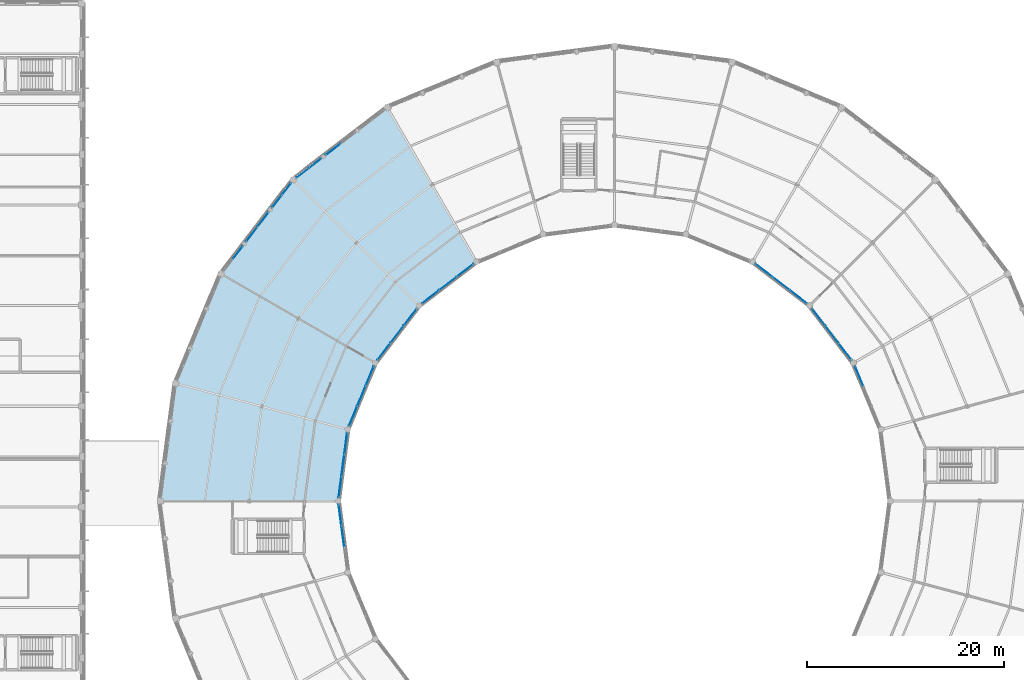
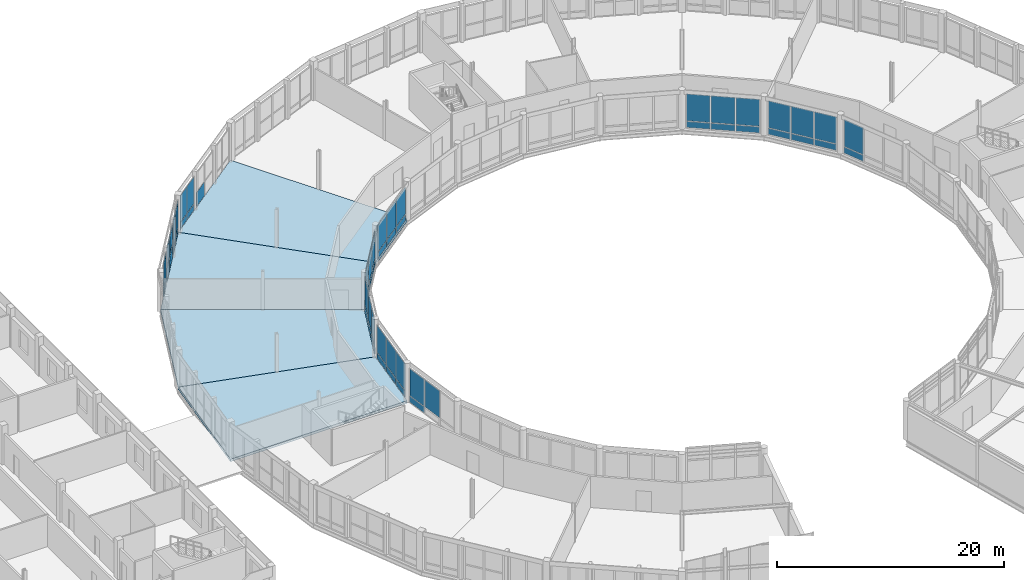
# One storey, part 129 of 170: 56 plates, 4 slabs, 13 elements without a shape of their own.
"""IFC4 building model written with IfcOpenShell, lengths in metres."""

from ifc_helpers import new_model, si_unit, direction, frame, origin, origin_2d, place, context, subcontext, project, spatial, polyline, rectangle, outline, extrude, material, layer, layer_set, type_object, element, aggregate, save


model = new_model("IFC4")

# Units and contexts
model_context = context("Model", 3, precision=1e-05, world=origin(), true_north=direction((0.0, 1.0)))
body_context = subcontext(model_context, "Body", "Model", "MODEL_VIEW")
ifc_project = project(units=[si_unit("LENGTHUNIT", "METRE"), si_unit("AREAUNIT", "SQUARE_METRE"), si_unit("VOLUMEUNIT", "CUBIC_METRE"), si_unit("PLANEANGLEUNIT", "RADIAN"), si_unit("MASSUNIT", "GRAM", prefix="KILO")], contexts=[model_context])

# Site, building, storey
site_placement = place(None, origin())
site = spatial("IfcSite", under=ifc_project, at=site_placement, CompositionType="ELEMENT")
building_placement = place(site_placement, origin())
building = spatial("IfcBuilding", under=site, at=building_placement, Name="Vondelvale Polytechnic", CompositionType="ELEMENT")
storey_placement = place(building_placement, frame((0.0, 0.0, 5.39990234375)))
storey = spatial("IfcBuildingStorey", under=building, at=storey_placement, Name="L01", CompositionType="ELEMENT", Elevation=5.39990234375)

# Curtain wall, plate
ifc_material_1 = material(Name="Anodised extruded aluminium 6063-T6", Category="aluminium")
curtain_wall_type_1 = type_object("IfcCurtainWallType", Name="CW-RING-CLOISTER", PredefinedType="NOTDEFINED", material=ifc_material_1)
curtain_wall_1_placement = place(storey_placement, origin())
curtain_wall_1 = element("IfcCurtainWall", 1, at=curtain_wall_1_placement, inside=storey, type_object=curtain_wall_type_1, Name="L01 architectural curtain wall CW-03-077", PredefinedType="NOTDEFINED")
ifc_material_2 = material(Name="Double-glazed low-E insulated architectural glass", Category="glass")
ifc_layer_1 = layer(ifc_material_2, 0.028076171875)
ifc_layer_set_1 = layer_set([ifc_layer_1], Name="CW-PANEL-GLAZED")
plate_type_1 = type_object("IfcPlateType", Name="CW-PANEL-GLAZED", PredefinedType="CURTAIN_PANEL", material=ifc_layer_set_1)
plate_1_placement = place(storey_placement, frame((126.805908203125, 84.655029296875, 0.78271484375), z_axis=(0.0, 0.0, 1.0), x_axis=(-0.382678531697, 0.923881562419, 0.0)))
plate_1 = element("IfcPlate", 2, at=plate_1_placement, type_object=plate_type_1, Name="CW-03-077 panel 3.2", PredefinedType="CURTAIN_PANEL", context=body_context, shape_type="SweptSolid", body=[
    extrude(rectangle(XDim=2.111572265625, YDim=0.028076171875, at=origin_2d()), origin(), (0.0, 0.0, 1.0), 2.902587890625),
])

# Curtain wall, plates
curtain_wall_2_placement = place(storey_placement, origin())
curtain_wall_2 = element("IfcCurtainWall", 3, at=curtain_wall_2_placement, inside=storey, type_object=curtain_wall_type_1, Name="L01 architectural curtain wall CW-03-089", PredefinedType="NOTDEFINED")
plate_2_placement = place(storey_placement, frame((125.363037109375, 87.154296875, 0.78271484375), z_axis=(0.0, 0.0, 1.0), x_axis=(-0.608747717793, 0.793363861089, 0.0)))
plate_2 = element("IfcPlate", 4, at=plate_2_placement, type_object=plate_type_1, Name="CW-03-089 panel 1.2", PredefinedType="CURTAIN_PANEL", context=body_context, shape_type="SweptSolid", body=[
    extrude(rectangle(XDim=2.1123046875, YDim=0.028076171875, at=origin_2d()), origin(), (0.0, 0.0, 1.0), 2.902587890625),
])
plate_3_placement = place(storey_placement, frame((124.02392578125, 88.8994140625, 0.78271484375), z_axis=(0.0, 0.0, 1.0), x_axis=(-0.608747717793, 0.793363861089, 0.0)))
plate_3 = element("IfcPlate", 5, at=plate_3_placement, type_object=plate_type_1, Name="CW-03-089 panel 2.2", PredefinedType="CURTAIN_PANEL", context=body_context, shape_type="SweptSolid", body=[
    extrude(rectangle(XDim=2.1474609375, YDim=0.028076171875, at=origin_2d()), origin(), (0.0, 0.0, 1.0), 2.902587890625),
])
plate_4_placement = place(storey_placement, frame((122.6845703125, 90.644775390625, 0.78271484375), z_axis=(0.0, 0.0, 1.0), x_axis=(-0.608747717793, 0.793363861089, 0.0)))
plate_4 = element("IfcPlate", 6, at=plate_4_placement, type_object=plate_type_1, Name="CW-03-089 panel 3.2", PredefinedType="CURTAIN_PANEL", context=body_context, shape_type="SweptSolid", body=[
    extrude(rectangle(XDim=2.1123046875, YDim=0.028076171875, at=origin_2d()), origin(), (0.0, 0.0, 1.0), 2.902587890625),
])

curtain_wall_3_placement = place(storey_placement, origin())
curtain_wall_3 = element("IfcCurtainWall", 7, at=curtain_wall_3_placement, inside=storey, type_object=curtain_wall_type_1, Name="L01 architectural curtain wall CW-03-100", PredefinedType="NOTDEFINED")
plate_5_placement = place(storey_placement, frame((120.644775390625, 92.6845703125, 0.78271484375), z_axis=(0.0, 0.0, 1.0), x_axis=(-0.793363861089, 0.608747717793, 0.0)))
plate_5 = element("IfcPlate", 8, at=plate_5_placement, type_object=plate_type_1, Name="CW-03-100 panel 1.2", PredefinedType="CURTAIN_PANEL", context=body_context, shape_type="SweptSolid", body=[
    extrude(rectangle(XDim=2.1123046875, YDim=0.028076171875, at=origin_2d()), origin(), (0.0, 0.0, 1.0), 2.902587890625),
])
plate_6_placement = place(storey_placement, frame((118.8994140625, 94.02392578125, 0.78271484375), z_axis=(0.0, 0.0, 1.0), x_axis=(-0.793363861089, 0.608747717793, 0.0)))
plate_6 = element("IfcPlate", 9, at=plate_6_placement, type_object=plate_type_1, Name="CW-03-100 panel 2.2", PredefinedType="CURTAIN_PANEL", context=body_context, shape_type="SweptSolid", body=[
    extrude(rectangle(XDim=2.1474609375, YDim=0.028076171875, at=origin_2d()), origin(), (0.0, 0.0, 1.0), 2.902587890625),
])
plate_7_placement = place(storey_placement, frame((117.154296875, 95.363037109375, 0.78271484375), z_axis=(0.0, 0.0, 1.0), x_axis=(-0.793363861089, 0.608747717793, 0.0)))
plate_7 = element("IfcPlate", 10, at=plate_7_placement, type_object=plate_type_1, Name="CW-03-100 panel 3.2", PredefinedType="CURTAIN_PANEL", context=body_context, shape_type="SweptSolid", body=[
    extrude(rectangle(XDim=2.1123046875, YDim=0.028076171875, at=origin_2d()), origin(), (0.0, 0.0, 1.0), 2.902587890625),
])

curtain_wall_4_placement = place(storey_placement, origin())
curtain_wall_4 = element("IfcCurtainWall", 11, at=curtain_wall_4_placement, inside=storey, type_object=curtain_wall_type_1, Name="L01 architectural curtain wall CW-03-194", PredefinedType="NOTDEFINED")
plate_8_placement = place(storey_placement, frame((86.845703125, 95.363037109375, 0.78271484375), z_axis=(0.0, 0.0, 1.0), x_axis=(-0.793363861089, -0.608747717793, 0.0)))
plate_8 = element("IfcPlate", 12, at=plate_8_placement, type_object=plate_type_1, Name="CW-03-194 panel 1.2", PredefinedType="CURTAIN_PANEL", context=body_context, shape_type="SweptSolid", body=[
    extrude(rectangle(XDim=2.1123046875, YDim=0.028076171875, at=origin_2d()), origin(), (0.0, 0.0, 1.0), 2.902587890625),
])
plate_9_placement = place(storey_placement, frame((85.1005859375, 94.02392578125, 0.78271484375), z_axis=(0.0, 0.0, 1.0), x_axis=(-0.793363861089, -0.608747717793, 0.0)))
plate_9 = element("IfcPlate", 13, at=plate_9_placement, type_object=plate_type_1, Name="CW-03-194 panel 2.2", PredefinedType="CURTAIN_PANEL", context=body_context, shape_type="SweptSolid", body=[
    extrude(rectangle(XDim=2.1474609375, YDim=0.028076171875, at=origin_2d()), origin(), (0.0, 0.0, 1.0), 2.902587890625),
])
plate_10_placement = place(storey_placement, frame((83.355224609375, 92.6845703125, 0.78271484375), z_axis=(0.0, 0.0, 1.0), x_axis=(-0.793363861089, -0.608747717793, 0.0)))
plate_10 = element("IfcPlate", 14, at=plate_10_placement, type_object=plate_type_1, Name="CW-03-194 panel 3.2", PredefinedType="CURTAIN_PANEL", context=body_context, shape_type="SweptSolid", body=[
    extrude(rectangle(XDim=2.1123046875, YDim=0.028076171875, at=origin_2d()), origin(), (0.0, 0.0, 1.0), 2.902587890625),
])

ifc_material_3 = material(Name="Glulam GL18 structural Tasmanian oak (fb = 42 MPa)", Category="wood")
curtain_wall_type_2 = type_object("IfcCurtainWallType", Name="CW-RING-OUTER", PredefinedType="NOTDEFINED", material=ifc_material_3)
curtain_wall_5_placement = place(storey_placement, origin())
curtain_wall_5 = element("IfcCurtainWall", 15, at=curtain_wall_5_placement, inside=storey, type_object=curtain_wall_type_2, Name="L01 architectural curtain wall CW-04-197", PredefinedType="NOTDEFINED")
plate_11_placement = place(storey_placement, frame((71.660888671875, 106.205810546875, 0.7802734375), z_axis=(0.0, 0.0, 1.0), x_axis=(-0.793333825656, -0.608786860133, 0.0)))
plate_11 = element("IfcPlate", 16, at=plate_11_placement, type_object=plate_type_1, Name="CW-04-197 panel 1.2", PredefinedType="CURTAIN_PANEL", context=body_context, shape_type="SweptSolid", body=[
    extrude(rectangle(XDim=1.530029296875, YDim=0.028076171875, at=origin_2d()), origin(), (0.0, 0.0, 1.0), 2.8798828125),
])
plate_12_placement = place(storey_placement, frame((70.3955078125, 105.234619140625, 0.7802734375), z_axis=(0.0, 0.0, 1.0), x_axis=(-0.793333825656, -0.608786860133, 0.0)))
plate_12 = element("IfcPlate", 17, at=plate_12_placement, type_object=plate_type_1, Name="CW-04-197 panel 2.2", PredefinedType="CURTAIN_PANEL", context=body_context, shape_type="SweptSolid", body=[
    extrude(rectangle(XDim=1.530029296875, YDim=0.028076171875, at=origin_2d()), origin(), (0.0, 0.0, 1.0), 2.8798828125),
])

curtain_wall_6_placement = place(storey_placement, origin())
curtain_wall_6 = element("IfcCurtainWall", 18, at=curtain_wall_6_placement, inside=storey, type_object=curtain_wall_type_1, Name="L01 architectural curtain wall CW-03-213", PredefinedType="NOTDEFINED")
plate_13_placement = place(storey_placement, frame((81.3154296875, 90.644775390625, 0.78271484375), z_axis=(0.0, 0.0, 1.0), x_axis=(-0.608747717793, -0.793363861089, 0.0)))
plate_13 = element("IfcPlate", 19, at=plate_13_placement, type_object=plate_type_1, Name="CW-03-213 panel 1.2", PredefinedType="CURTAIN_PANEL", context=body_context, shape_type="SweptSolid", body=[
    extrude(rectangle(XDim=2.1123046875, YDim=0.028076171875, at=origin_2d()), origin(), (0.0, 0.0, 1.0), 2.902587890625),
])
plate_14_placement = place(storey_placement, frame((79.97607421875, 88.8994140625, 0.78271484375), z_axis=(0.0, 0.0, 1.0), x_axis=(-0.608747717793, -0.793363861089, 0.0)))
plate_14 = element("IfcPlate", 20, at=plate_14_placement, type_object=plate_type_1, Name="CW-03-213 panel 2.2", PredefinedType="CURTAIN_PANEL", context=body_context, shape_type="SweptSolid", body=[
    extrude(rectangle(XDim=2.1474609375, YDim=0.028076171875, at=origin_2d()), origin(), (0.0, 0.0, 1.0), 2.902587890625),
])
plate_15_placement = place(storey_placement, frame((78.636962890625, 87.154296875, 0.78271484375), z_axis=(0.0, 0.0, 1.0), x_axis=(-0.608747717793, -0.793363861089, 0.0)))
plate_15 = element("IfcPlate", 21, at=plate_15_placement, type_object=plate_type_1, Name="CW-03-213 panel 3.2", PredefinedType="CURTAIN_PANEL", context=body_context, shape_type="SweptSolid", body=[
    extrude(rectangle(XDim=2.1123046875, YDim=0.028076171875, at=origin_2d()), origin(), (0.0, 0.0, 1.0), 2.902587890625),
])

curtain_wall_7_placement = place(storey_placement, origin())
curtain_wall_7 = element("IfcCurtainWall", 22, at=curtain_wall_7_placement, inside=storey, type_object=curtain_wall_type_2, Name="L01 architectural curtain wall CW-04-214", PredefinedType="NOTDEFINED")
plate_16_placement = place(storey_placement, frame((68.765380859375, 103.6044921875, 0.7802734375), z_axis=(0.0, 0.0, 1.0), x_axis=(-0.608786860133, -0.793333825656, 0.0)))
plate_16 = element("IfcPlate", 23, at=plate_16_placement, type_object=plate_type_1, Name="CW-04-214 panel 1.2", PredefinedType="CURTAIN_PANEL", context=body_context, shape_type="SweptSolid", body=[
    extrude(rectangle(XDim=1.530029296875, YDim=0.028076171875, at=origin_2d()), origin(), (0.0, 0.0, 1.0), 2.8798828125),
])
plate_17_placement = place(storey_placement, frame((67.794189453125, 102.339111328125, 0.7802734375), z_axis=(0.0, 0.0, 1.0), x_axis=(-0.608786860133, -0.793333825656, 0.0)))
plate_17 = element("IfcPlate", 24, at=plate_17_placement, type_object=plate_type_1, Name="CW-04-214 panel 2.2", PredefinedType="CURTAIN_PANEL", context=body_context, shape_type="SweptSolid", body=[
    extrude(rectangle(XDim=1.530029296875, YDim=0.028076171875, at=origin_2d()), origin(), (0.0, 0.0, 1.0), 2.8798828125),
])

curtain_wall_8_placement = place(storey_placement, origin())
curtain_wall_8 = element("IfcCurtainWall", 25, at=curtain_wall_8_placement, inside=storey, type_object=curtain_wall_type_2, Name="L01 architectural curtain wall CW-04-215", PredefinedType="NOTDEFINED")
plate_18_placement = place(storey_placement, frame((66.388427734375, 100.5068359375, 1.6298828125), z_axis=(0.0, 0.0, 1.0), x_axis=(-0.608771189063, -0.793345851043, 0.0)))
plate_18 = element("IfcPlate", 26, at=plate_18_placement, type_object=plate_type_1, Name="CW-04-215 panel 1.2", PredefinedType="CURTAIN_PANEL", context=body_context, shape_type="SweptSolid", body=[
    extrude(rectangle(XDim=1.80908203125, YDim=0.028076171875, at=origin_2d()), origin(), (0.0, 0.0, 1.0), 2.030029296875),
])
plate_19_placement = place(storey_placement, frame((65.24755859375, 99.02001953125, 1.6298828125), z_axis=(0.0, 0.0, 1.0), x_axis=(-0.608771189063, -0.793345851043, 0.0)))
plate_19 = element("IfcPlate", 27, at=plate_19_placement, type_object=plate_type_1, Name="CW-04-215 panel 2.2", PredefinedType="CURTAIN_PANEL", context=body_context, shape_type="SweptSolid", body=[
    extrude(rectangle(XDim=1.80908203125, YDim=0.028076171875, at=origin_2d()), origin(), (0.0, 0.0, 1.0), 2.030029296875),
])

# Curtain wall, plate
curtain_wall_9_placement = place(storey_placement, origin())
curtain_wall_9 = element("IfcCurtainWall", 28, at=curtain_wall_9_placement, inside=storey, type_object=curtain_wall_type_2, Name="L01 architectural curtain wall CW-04-216", PredefinedType="NOTDEFINED")
plate_20_placement = place(storey_placement, frame((63.841552734375, 97.187744140625, 0.7802734375), z_axis=(0.0, 0.0, 1.0), x_axis=(-0.608786860133, -0.793333825656, 0.0)))
plate_20 = element("IfcPlate", 29, at=plate_20_placement, type_object=plate_type_1, Name="CW-04-216 panel 1.2", PredefinedType="CURTAIN_PANEL", context=body_context, shape_type="SweptSolid", body=[
    extrude(rectangle(XDim=1.530029296875, YDim=0.028076171875, at=origin_2d()), origin(), (0.0, 0.0, 1.0), 2.8798828125),
])

# Curtain wall, plates
curtain_wall_10_placement = place(storey_placement, origin())
curtain_wall_10 = element("IfcCurtainWall", 30, at=curtain_wall_10_placement, inside=storey, type_object=curtain_wall_type_1, Name="L01 architectural curtain wall CW-03-229", PredefinedType="NOTDEFINED")
plate_21_placement = place(storey_placement, frame((77.194091796875, 84.655029296875, 0.78271484375), z_axis=(0.0, 0.0, 1.0), x_axis=(-0.382678531697, -0.923881562419, 0.0)))
plate_21 = element("IfcPlate", 31, at=plate_21_placement, type_object=plate_type_1, Name="CW-03-229 panel 1.2", PredefinedType="CURTAIN_PANEL", context=body_context, shape_type="SweptSolid", body=[
    extrude(rectangle(XDim=2.111572265625, YDim=0.028076171875, at=origin_2d()), origin(), (0.0, 0.0, 1.0), 2.902587890625),
])
plate_22_placement = place(storey_placement, frame((76.352783203125, 82.62353515625, 0.78271484375), z_axis=(0.0, 0.0, 1.0), x_axis=(-0.382678531697, -0.923881562419, 0.0)))
plate_22 = element("IfcPlate", 32, at=plate_22_placement, type_object=plate_type_1, Name="CW-03-229 panel 2.2", PredefinedType="CURTAIN_PANEL", context=body_context, shape_type="SweptSolid", body=[
    extrude(rectangle(XDim=2.146484375, YDim=0.028076171875, at=origin_2d()), origin(), (0.0, 0.0, 1.0), 2.902587890625),
])
plate_23_placement = place(storey_placement, frame((75.51123046875, 80.591796875, 0.78271484375), z_axis=(0.0, 0.0, 1.0), x_axis=(-0.382678531697, -0.923881562419, 0.0)))
plate_23 = element("IfcPlate", 33, at=plate_23_placement, type_object=plate_type_1, Name="CW-03-229 panel 3.2", PredefinedType="CURTAIN_PANEL", context=body_context, shape_type="SweptSolid", body=[
    extrude(rectangle(XDim=2.111572265625, YDim=0.028076171875, at=origin_2d()), origin(), (0.0, 0.0, 1.0), 2.902587890625),
])

curtain_wall_11_placement = place(storey_placement, origin())
curtain_wall_11 = element("IfcCurtainWall", 34, at=curtain_wall_11_placement, inside=storey, type_object=curtain_wall_type_1, Name="L01 architectural curtain wall CW-03-244", PredefinedType="NOTDEFINED")
plate_24_placement = place(storey_placement, frame((74.76416015625, 77.804443359375, 0.78271484375), z_axis=(0.0, 0.0, 1.0), x_axis=(-0.130528007165, -0.99144462243, 0.0)))
plate_24 = element("IfcPlate", 35, at=plate_24_placement, type_object=plate_type_1, Name="CW-03-244 panel 1.2", PredefinedType="CURTAIN_PANEL", context=body_context, shape_type="SweptSolid", body=[
    extrude(rectangle(XDim=2.1123046875, YDim=0.028076171875, at=origin_2d()), origin(), (0.0, 0.0, 1.0), 2.902587890625),
])
plate_25_placement = place(storey_placement, frame((74.47705078125, 75.62353515625, 0.78271484375), z_axis=(0.0, 0.0, 1.0), x_axis=(-0.130528007165, -0.99144462243, 0.0)))
plate_25 = element("IfcPlate", 36, at=plate_25_placement, type_object=plate_type_1, Name="CW-03-244 panel 2.2", PredefinedType="CURTAIN_PANEL", context=body_context, shape_type="SweptSolid", body=[
    extrude(rectangle(XDim=2.1474609375, YDim=0.028076171875, at=origin_2d()), origin(), (0.0, 0.0, 1.0), 2.902587890625),
])
plate_26_placement = place(storey_placement, frame((74.18994140625, 73.4423828125, 0.78271484375), z_axis=(0.0, 0.0, 1.0), x_axis=(-0.130528007165, -0.99144462243, 0.0)))
plate_26 = element("IfcPlate", 37, at=plate_26_placement, type_object=plate_type_1, Name="CW-03-244 panel 3.2", PredefinedType="CURTAIN_PANEL", context=body_context, shape_type="SweptSolid", body=[
    extrude(rectangle(XDim=2.1123046875, YDim=0.028076171875, at=origin_2d()), origin(), (0.0, 0.0, 1.0), 2.902587890625),
])

curtain_wall_12_placement = place(storey_placement, origin())
curtain_wall_12 = element("IfcCurtainWall", 38, at=curtain_wall_12_placement, inside=storey, type_object=curtain_wall_type_1, Name="L01 architectural curtain wall CW-03-259", PredefinedType="NOTDEFINED")
plate_27_placement = place(storey_placement, frame((74.18994140625, 70.5576171875, 0.78271484375), z_axis=(0.0, 0.0, 1.0), x_axis=(0.130528007165, -0.99144462243, 0.0)))
plate_27 = element("IfcPlate", 39, at=plate_27_placement, type_object=plate_type_1, Name="CW-03-259 panel 1.2", PredefinedType="CURTAIN_PANEL", context=body_context, shape_type="SweptSolid", body=[
    extrude(rectangle(XDim=2.1123046875, YDim=0.028076171875, at=origin_2d()), origin(), (0.0, 0.0, 1.0), 2.902587890625),
])
plate_28_placement = place(storey_placement, frame((74.47705078125, 68.37646484375, 0.78271484375), z_axis=(0.0, 0.0, 1.0), x_axis=(0.130528007165, -0.99144462243, 0.0)))
plate_28 = element("IfcPlate", 40, at=plate_28_placement, type_object=plate_type_1, Name="CW-03-259 panel 2.2", PredefinedType="CURTAIN_PANEL", context=body_context, shape_type="SweptSolid", body=[
    extrude(rectangle(XDim=2.1474609375, YDim=0.028076171875, at=origin_2d()), origin(), (0.0, 0.0, 1.0), 2.902587890625),
])

# Plate
ifc_material_4 = material(Name="Engineered Tasmanian oak studio and bridge joinery")
ifc_layer_2 = layer(ifc_material_4, 0.0419921875)
ifc_layer_set_2 = layer_set([ifc_layer_2], Name="CW-PANEL-OAK")
plate_type_2 = type_object("IfcPlateType", Name="CW-PANEL-OAK", PredefinedType="CURTAIN_PANEL", material=ifc_layer_set_2)
plate_29_placement = place(storey_placement, frame((126.805908203125, 84.655029296875, 0.06494140625), z_axis=(0.0, 0.0, 1.0), x_axis=(-0.382678531697, 0.923881562419, 0.0)))
plate_29 = element("IfcPlate", 41, at=plate_29_placement, type_object=plate_type_2, Name="CW-03-077 panel 3.1", PredefinedType="CURTAIN_PANEL", context=body_context, shape_type="SweptSolid", body=[
    extrude(rectangle(XDim=2.111572265625, YDim=0.0419921875, at=origin_2d()), origin(), (0.0, 0.0, 1.0), 0.652587890625),
])

aggregate(curtain_wall_1, [plate_29, plate_1])

plate_30_placement = place(storey_placement, frame((125.363037109375, 87.154296875, 0.06494140625), z_axis=(0.0, 0.0, 1.0), x_axis=(-0.608747717793, 0.793363861089, 0.0)))
plate_30 = element("IfcPlate", 42, at=plate_30_placement, type_object=plate_type_2, Name="CW-03-089 panel 1.1", PredefinedType="CURTAIN_PANEL", context=body_context, shape_type="SweptSolid", body=[
    extrude(rectangle(XDim=2.1123046875, YDim=0.0419921875, at=origin_2d()), origin(), (0.0, 0.0, 1.0), 0.652587890625),
])

plate_31_placement = place(storey_placement, frame((124.02392578125, 88.8994140625, 0.06494140625), z_axis=(0.0, 0.0, 1.0), x_axis=(-0.608747717793, 0.793363861089, 0.0)))
plate_31 = element("IfcPlate", 43, at=plate_31_placement, type_object=plate_type_2, Name="CW-03-089 panel 2.1", PredefinedType="CURTAIN_PANEL", context=body_context, shape_type="SweptSolid", body=[
    extrude(rectangle(XDim=2.1474609375, YDim=0.0419921875, at=origin_2d()), origin(), (0.0, 0.0, 1.0), 0.652587890625),
])

plate_32_placement = place(storey_placement, frame((122.6845703125, 90.644775390625, 0.06494140625), z_axis=(0.0, 0.0, 1.0), x_axis=(-0.608747717793, 0.793363861089, 0.0)))
plate_32 = element("IfcPlate", 44, at=plate_32_placement, type_object=plate_type_2, Name="CW-03-089 panel 3.1", PredefinedType="CURTAIN_PANEL", context=body_context, shape_type="SweptSolid", body=[
    extrude(rectangle(XDim=2.1123046875, YDim=0.0419921875, at=origin_2d()), origin(), (0.0, 0.0, 1.0), 0.652587890625),
])

aggregate(curtain_wall_2, [plate_30, plate_2, plate_31, plate_3, plate_32, plate_4])

plate_33_placement = place(storey_placement, frame((120.644775390625, 92.6845703125, 0.06494140625), z_axis=(0.0, 0.0, 1.0), x_axis=(-0.793363861089, 0.608747717793, 0.0)))
plate_33 = element("IfcPlate", 45, at=plate_33_placement, type_object=plate_type_2, Name="CW-03-100 panel 1.1", PredefinedType="CURTAIN_PANEL", context=body_context, shape_type="SweptSolid", body=[
    extrude(rectangle(XDim=2.1123046875, YDim=0.0419921875, at=origin_2d()), origin(), (0.0, 0.0, 1.0), 0.652587890625),
])

plate_34_placement = place(storey_placement, frame((118.8994140625, 94.02392578125, 0.06494140625), z_axis=(0.0, 0.0, 1.0), x_axis=(-0.793363861089, 0.608747717793, 0.0)))
plate_34 = element("IfcPlate", 46, at=plate_34_placement, type_object=plate_type_2, Name="CW-03-100 panel 2.1", PredefinedType="CURTAIN_PANEL", context=body_context, shape_type="SweptSolid", body=[
    extrude(rectangle(XDim=2.1474609375, YDim=0.0419921875, at=origin_2d()), origin(), (0.0, 0.0, 1.0), 0.652587890625),
])

plate_35_placement = place(storey_placement, frame((117.154296875, 95.363037109375, 0.06494140625), z_axis=(0.0, 0.0, 1.0), x_axis=(-0.793363861089, 0.608747717793, 0.0)))
plate_35 = element("IfcPlate", 47, at=plate_35_placement, type_object=plate_type_2, Name="CW-03-100 panel 3.1", PredefinedType="CURTAIN_PANEL", context=body_context, shape_type="SweptSolid", body=[
    extrude(rectangle(XDim=2.1123046875, YDim=0.0419921875, at=origin_2d()), origin(), (0.0, 0.0, 1.0), 0.652587890625),
])

aggregate(curtain_wall_3, [plate_33, plate_5, plate_34, plate_6, plate_35, plate_7])

plate_36_placement = place(storey_placement, frame((86.845703125, 95.363037109375, 0.06494140625), z_axis=(0.0, 0.0, 1.0), x_axis=(-0.793363861089, -0.608747717793, 0.0)))
plate_36 = element("IfcPlate", 48, at=plate_36_placement, type_object=plate_type_2, Name="CW-03-194 panel 1.1", PredefinedType="CURTAIN_PANEL", context=body_context, shape_type="SweptSolid", body=[
    extrude(rectangle(XDim=2.1123046875, YDim=0.0419921875, at=origin_2d()), origin(), (0.0, 0.0, 1.0), 0.652587890625),
])

plate_37_placement = place(storey_placement, frame((85.1005859375, 94.02392578125, 0.06494140625), z_axis=(0.0, 0.0, 1.0), x_axis=(-0.793363861089, -0.608747717793, 0.0)))
plate_37 = element("IfcPlate", 49, at=plate_37_placement, type_object=plate_type_2, Name="CW-03-194 panel 2.1", PredefinedType="CURTAIN_PANEL", context=body_context, shape_type="SweptSolid", body=[
    extrude(rectangle(XDim=2.1474609375, YDim=0.0419921875, at=origin_2d()), origin(), (0.0, 0.0, 1.0), 0.652587890625),
])

plate_38_placement = place(storey_placement, frame((83.355224609375, 92.6845703125, 0.06494140625), z_axis=(0.0, 0.0, 1.0), x_axis=(-0.793363861089, -0.608747717793, 0.0)))
plate_38 = element("IfcPlate", 50, at=plate_38_placement, type_object=plate_type_2, Name="CW-03-194 panel 3.1", PredefinedType="CURTAIN_PANEL", context=body_context, shape_type="SweptSolid", body=[
    extrude(rectangle(XDim=2.1123046875, YDim=0.0419921875, at=origin_2d()), origin(), (0.0, 0.0, 1.0), 0.652587890625),
])

aggregate(curtain_wall_4, [plate_36, plate_8, plate_37, plate_9, plate_38, plate_10])

# Curtain wall, plate
curtain_wall_13_placement = place(storey_placement, origin())
curtain_wall_13 = element("IfcCurtainWall", 51, at=curtain_wall_13_placement, inside=storey, type_object=curtain_wall_type_2, Name="L01 architectural curtain wall CW-04-196", PredefinedType="NOTDEFINED")
plate_39_placement = place(storey_placement, frame((73.4931640625, 107.611572265625, 0.06005859375), z_axis=(0.0, 0.0, 1.0), x_axis=(-0.793345851043, -0.608771189063, 0.0)))
plate_39 = element("IfcPlate", 52, at=plate_39_placement, type_object=plate_type_2, Name="CW-04-196 panel 2.1", PredefinedType="CURTAIN_PANEL", context=body_context, shape_type="SweptSolid", body=[
    extrude(rectangle(XDim=1.80908203125, YDim=0.0419921875, at=origin_2d()), origin(), (0.0, 0.0, 1.0), 1.510009765625),
])
aggregate(curtain_wall_13, [plate_39])

# Plate
plate_40_placement = place(storey_placement, frame((81.3154296875, 90.644775390625, 0.06494140625), z_axis=(0.0, 0.0, 1.0), x_axis=(-0.608747717793, -0.793363861089, 0.0)))
plate_40 = element("IfcPlate", 53, at=plate_40_placement, type_object=plate_type_2, Name="CW-03-213 panel 1.1", PredefinedType="CURTAIN_PANEL", context=body_context, shape_type="SweptSolid", body=[
    extrude(rectangle(XDim=2.1123046875, YDim=0.0419921875, at=origin_2d()), origin(), (0.0, 0.0, 1.0), 0.652587890625),
])

plate_41_placement = place(storey_placement, frame((79.97607421875, 88.8994140625, 0.06494140625), z_axis=(0.0, 0.0, 1.0), x_axis=(-0.608747717793, -0.793363861089, 0.0)))
plate_41 = element("IfcPlate", 54, at=plate_41_placement, type_object=plate_type_2, Name="CW-03-213 panel 2.1", PredefinedType="CURTAIN_PANEL", context=body_context, shape_type="SweptSolid", body=[
    extrude(rectangle(XDim=2.1474609375, YDim=0.0419921875, at=origin_2d()), origin(), (0.0, 0.0, 1.0), 0.652587890625),
])

plate_42_placement = place(storey_placement, frame((78.636962890625, 87.154296875, 0.06494140625), z_axis=(0.0, 0.0, 1.0), x_axis=(-0.608747717793, -0.793363861089, 0.0)))
plate_42 = element("IfcPlate", 55, at=plate_42_placement, type_object=plate_type_2, Name="CW-03-213 panel 3.1", PredefinedType="CURTAIN_PANEL", context=body_context, shape_type="SweptSolid", body=[
    extrude(rectangle(XDim=2.1123046875, YDim=0.0419921875, at=origin_2d()), origin(), (0.0, 0.0, 1.0), 0.652587890625),
])

aggregate(curtain_wall_6, [plate_40, plate_13, plate_41, plate_14, plate_42, plate_15])

plate_43_placement = place(storey_placement, frame((66.388427734375, 100.5068359375, 0.06005859375), z_axis=(0.0, 0.0, 1.0), x_axis=(-0.608771189063, -0.793345851043, 0.0)))
plate_43 = element("IfcPlate", 56, at=plate_43_placement, type_object=plate_type_2, Name="CW-04-215 panel 1.1", PredefinedType="CURTAIN_PANEL", context=body_context, shape_type="SweptSolid", body=[
    extrude(rectangle(XDim=1.80908203125, YDim=0.0419921875, at=origin_2d()), origin(), (0.0, 0.0, 1.0), 1.510009765625),
])

plate_44_placement = place(storey_placement, frame((65.24755859375, 99.02001953125, 0.06005859375), z_axis=(0.0, 0.0, 1.0), x_axis=(-0.608771189063, -0.793345851043, 0.0)))
plate_44 = element("IfcPlate", 57, at=plate_44_placement, type_object=plate_type_2, Name="CW-04-215 panel 2.1", PredefinedType="CURTAIN_PANEL", context=body_context, shape_type="SweptSolid", body=[
    extrude(rectangle(XDim=1.80908203125, YDim=0.0419921875, at=origin_2d()), origin(), (0.0, 0.0, 1.0), 1.510009765625),
])

aggregate(curtain_wall_8, [plate_43, plate_18, plate_44, plate_19])

plate_45_placement = place(storey_placement, frame((77.194091796875, 84.655029296875, 0.06494140625), z_axis=(0.0, 0.0, 1.0), x_axis=(-0.382678531697, -0.923881562419, 0.0)))
plate_45 = element("IfcPlate", 58, at=plate_45_placement, type_object=plate_type_2, Name="CW-03-229 panel 1.1", PredefinedType="CURTAIN_PANEL", context=body_context, shape_type="SweptSolid", body=[
    extrude(rectangle(XDim=2.111572265625, YDim=0.0419921875, at=origin_2d()), origin(), (0.0, 0.0, 1.0), 0.652587890625),
])

plate_46_placement = place(storey_placement, frame((76.352783203125, 82.62353515625, 0.06494140625), z_axis=(0.0, 0.0, 1.0), x_axis=(-0.382678531697, -0.923881562419, 0.0)))
plate_46 = element("IfcPlate", 59, at=plate_46_placement, type_object=plate_type_2, Name="CW-03-229 panel 2.1", PredefinedType="CURTAIN_PANEL", context=body_context, shape_type="SweptSolid", body=[
    extrude(rectangle(XDim=2.146484375, YDim=0.0419921875, at=origin_2d()), origin(), (0.0, 0.0, 1.0), 0.652587890625),
])

plate_47_placement = place(storey_placement, frame((75.51123046875, 80.591796875, 0.06494140625), z_axis=(0.0, 0.0, 1.0), x_axis=(-0.382678531697, -0.923881562419, 0.0)))
plate_47 = element("IfcPlate", 60, at=plate_47_placement, type_object=plate_type_2, Name="CW-03-229 panel 3.1", PredefinedType="CURTAIN_PANEL", context=body_context, shape_type="SweptSolid", body=[
    extrude(rectangle(XDim=2.111572265625, YDim=0.0419921875, at=origin_2d()), origin(), (0.0, 0.0, 1.0), 0.652587890625),
])

aggregate(curtain_wall_10, [plate_45, plate_21, plate_46, plate_22, plate_47, plate_23])

plate_48_placement = place(storey_placement, frame((74.76416015625, 77.804443359375, 0.06494140625), z_axis=(0.0, 0.0, 1.0), x_axis=(-0.130528007165, -0.99144462243, 0.0)))
plate_48 = element("IfcPlate", 61, at=plate_48_placement, type_object=plate_type_2, Name="CW-03-244 panel 1.1", PredefinedType="CURTAIN_PANEL", context=body_context, shape_type="SweptSolid", body=[
    extrude(rectangle(XDim=2.1123046875, YDim=0.0419921875, at=origin_2d()), origin(), (0.0, 0.0, 1.0), 0.652587890625),
])

plate_49_placement = place(storey_placement, frame((74.47705078125, 75.62353515625, 0.06494140625), z_axis=(0.0, 0.0, 1.0), x_axis=(-0.130528007165, -0.99144462243, 0.0)))
plate_49 = element("IfcPlate", 62, at=plate_49_placement, type_object=plate_type_2, Name="CW-03-244 panel 2.1", PredefinedType="CURTAIN_PANEL", context=body_context, shape_type="SweptSolid", body=[
    extrude(rectangle(XDim=2.1474609375, YDim=0.0419921875, at=origin_2d()), origin(), (0.0, 0.0, 1.0), 0.652587890625),
])

plate_50_placement = place(storey_placement, frame((74.18994140625, 73.4423828125, 0.06494140625), z_axis=(0.0, 0.0, 1.0), x_axis=(-0.130528007165, -0.99144462243, 0.0)))
plate_50 = element("IfcPlate", 63, at=plate_50_placement, type_object=plate_type_2, Name="CW-03-244 panel 3.1", PredefinedType="CURTAIN_PANEL", context=body_context, shape_type="SweptSolid", body=[
    extrude(rectangle(XDim=2.1123046875, YDim=0.0419921875, at=origin_2d()), origin(), (0.0, 0.0, 1.0), 0.652587890625),
])

aggregate(curtain_wall_11, [plate_48, plate_24, plate_49, plate_25, plate_50, plate_26])

plate_51_placement = place(storey_placement, frame((74.18994140625, 70.5576171875, 0.06494140625), z_axis=(0.0, 0.0, 1.0), x_axis=(0.130528007165, -0.99144462243, 0.0)))
plate_51 = element("IfcPlate", 64, at=plate_51_placement, type_object=plate_type_2, Name="CW-03-259 panel 1.1", PredefinedType="CURTAIN_PANEL", context=body_context, shape_type="SweptSolid", body=[
    extrude(rectangle(XDim=2.1123046875, YDim=0.0419921875, at=origin_2d()), origin(), (0.0, 0.0, 1.0), 0.652587890625),
])

aggregate(curtain_wall_12, [plate_51, plate_27, plate_28])

ifc_material_5 = material(Name="Kiln-fired architectural terracotta", Category="masonry")
ifc_layer_3 = layer(ifc_material_5, 0.035888671875)
ifc_layer_set_3 = layer_set([ifc_layer_3], Name="CW-PANEL-SPANDREL")
plate_type_3 = type_object("IfcPlateType", Name="CW-PANEL-SPANDREL", PredefinedType="CURTAIN_PANEL", material=ifc_layer_set_3)
plate_52_placement = place(storey_placement, frame((71.660888671875, 106.205810546875, 0.06005859375), z_axis=(0.0, 0.0, 1.0), x_axis=(-0.793333825656, -0.608786860133, 0.0)))
plate_52 = element("IfcPlate", 65, at=plate_52_placement, type_object=plate_type_3, Name="CW-04-197 panel 1.1", PredefinedType="CURTAIN_PANEL", context=body_context, shape_type="SweptSolid", body=[
    extrude(rectangle(XDim=1.530029296875, YDim=0.035888671875, at=origin_2d()), origin(), (0.0, 0.0, 1.0), 0.659912109375),
])

plate_53_placement = place(storey_placement, frame((70.3955078125, 105.234619140625, 0.06005859375), z_axis=(0.0, 0.0, 1.0), x_axis=(-0.793333825656, -0.608786860133, 0.0)))
plate_53 = element("IfcPlate", 66, at=plate_53_placement, type_object=plate_type_3, Name="CW-04-197 panel 2.1", PredefinedType="CURTAIN_PANEL", context=body_context, shape_type="SweptSolid", body=[
    extrude(rectangle(XDim=1.530029296875, YDim=0.035888671875, at=origin_2d()), origin(), (0.0, 0.0, 1.0), 0.659912109375),
])

aggregate(curtain_wall_5, [plate_52, plate_11, plate_53, plate_12])

plate_54_placement = place(storey_placement, frame((68.765380859375, 103.6044921875, 0.06005859375), z_axis=(0.0, 0.0, 1.0), x_axis=(-0.608786860133, -0.793333825656, 0.0)))
plate_54 = element("IfcPlate", 67, at=plate_54_placement, type_object=plate_type_3, Name="CW-04-214 panel 1.1", PredefinedType="CURTAIN_PANEL", context=body_context, shape_type="SweptSolid", body=[
    extrude(rectangle(XDim=1.530029296875, YDim=0.035888671875, at=origin_2d()), origin(), (0.0, 0.0, 1.0), 0.659912109375),
])

plate_55_placement = place(storey_placement, frame((67.794189453125, 102.339111328125, 0.06005859375), z_axis=(0.0, 0.0, 1.0), x_axis=(-0.608786860133, -0.793333825656, 0.0)))
plate_55 = element("IfcPlate", 68, at=plate_55_placement, type_object=plate_type_3, Name="CW-04-214 panel 2.1", PredefinedType="CURTAIN_PANEL", context=body_context, shape_type="SweptSolid", body=[
    extrude(rectangle(XDim=1.530029296875, YDim=0.035888671875, at=origin_2d()), origin(), (0.0, 0.0, 1.0), 0.659912109375),
])

aggregate(curtain_wall_7, [plate_54, plate_16, plate_55, plate_17])

plate_56_placement = place(storey_placement, frame((63.841552734375, 97.187744140625, 0.06005859375), z_axis=(0.0, 0.0, 1.0), x_axis=(-0.608786860133, -0.793333825656, 0.0)))
plate_56 = element("IfcPlate", 69, at=plate_56_placement, type_object=plate_type_3, Name="CW-04-216 panel 1.1", PredefinedType="CURTAIN_PANEL", context=body_context, shape_type="SweptSolid", body=[
    extrude(rectangle(XDim=1.530029296875, YDim=0.035888671875, at=origin_2d()), origin(), (0.0, 0.0, 1.0), 0.659912109375),
])

aggregate(curtain_wall_9, [plate_56, plate_20])

# Slabs
ifc_material_6 = material(Name="Concrete N40 (f'c = 40 MPa)", Category="concrete")
ifc_layer_4 = layer(ifc_material_6, 0.280029296875)
ifc_layer_set_4 = layer_set([ifc_layer_4], Name="SLB-LIBRARY-280")
slab_type = type_object("IfcSlabType", Name="SLB-LIBRARY-280", PredefinedType="FLOOR", material=ifc_layer_set_4)
slab_1_placement = place(storey_placement, frame((0.0, 0.0, -0.27978515625)))
element("IfcSlab", 70, at=slab_1_placement, inside=storey, type_object=slab_type, Name="L01 circular ring sector 08 floor slab", PredefinedType="FLOOR", context=body_context, shape_type="SweptSolid", body=[
    extrude(outline(polyline([(88.0, 96.248779296875), (79.0, 111.837158203125), (69.47314453125, 104.52685546875), (82.200927734375, 91.799072265625), (88.0, 96.248779296875)])), origin(), (0.0, 0.0, 1.0), 0.27978515625),
])
slab_2_placement = place(storey_placement, frame((0.0, 0.0, -0.27978515625)))
element("IfcSlab", 71, at=slab_2_placement, inside=storey, type_object=slab_type, Name="L01 circular ring sector 09 floor slab", PredefinedType="FLOOR", context=body_context, shape_type="SweptSolid", body=[
    extrude(outline(polyline([(82.200927734375, 91.799072265625), (69.47314453125, 104.52685546875), (62.162841796875, 95.0), (77.751220703125, 86.0), (82.200927734375, 91.799072265625)])), origin(), (0.0, 0.0, 1.0), 0.27978515625),
])
slab_3_placement = place(storey_placement, frame((0.0, 0.0, -0.27978515625)))
element("IfcSlab", 72, at=slab_3_placement, inside=storey, type_object=slab_type, Name="L01 circular ring sector 10 floor slab", PredefinedType="FLOOR", context=body_context, shape_type="SweptSolid", body=[
    extrude(outline(polyline([(77.751220703125, 86.0), (62.162841796875, 95.0), (57.5673828125, 83.90576171875), (74.9541015625, 79.246826171875), (77.751220703125, 86.0)])), origin(), (0.0, 0.0, 1.0), 0.27978515625),
])
slab_4_placement = place(storey_placement, frame((0.0, 0.0, -0.27978515625)))
element("IfcSlab", 73, at=slab_4_placement, inside=storey, type_object=slab_type, Name="L01 circular ring sector 11 floor slab", PredefinedType="FLOOR", context=body_context, shape_type="SweptSolid", body=[
    extrude(outline(polyline([(74.9541015625, 79.246826171875), (57.5673828125, 83.90576171875), (56.0, 72.0), (74.0, 72.0), (74.9541015625, 79.246826171875)])), origin(), (0.0, 0.0, 1.0), 0.27978515625),
])

save(model, "model.ifc")
